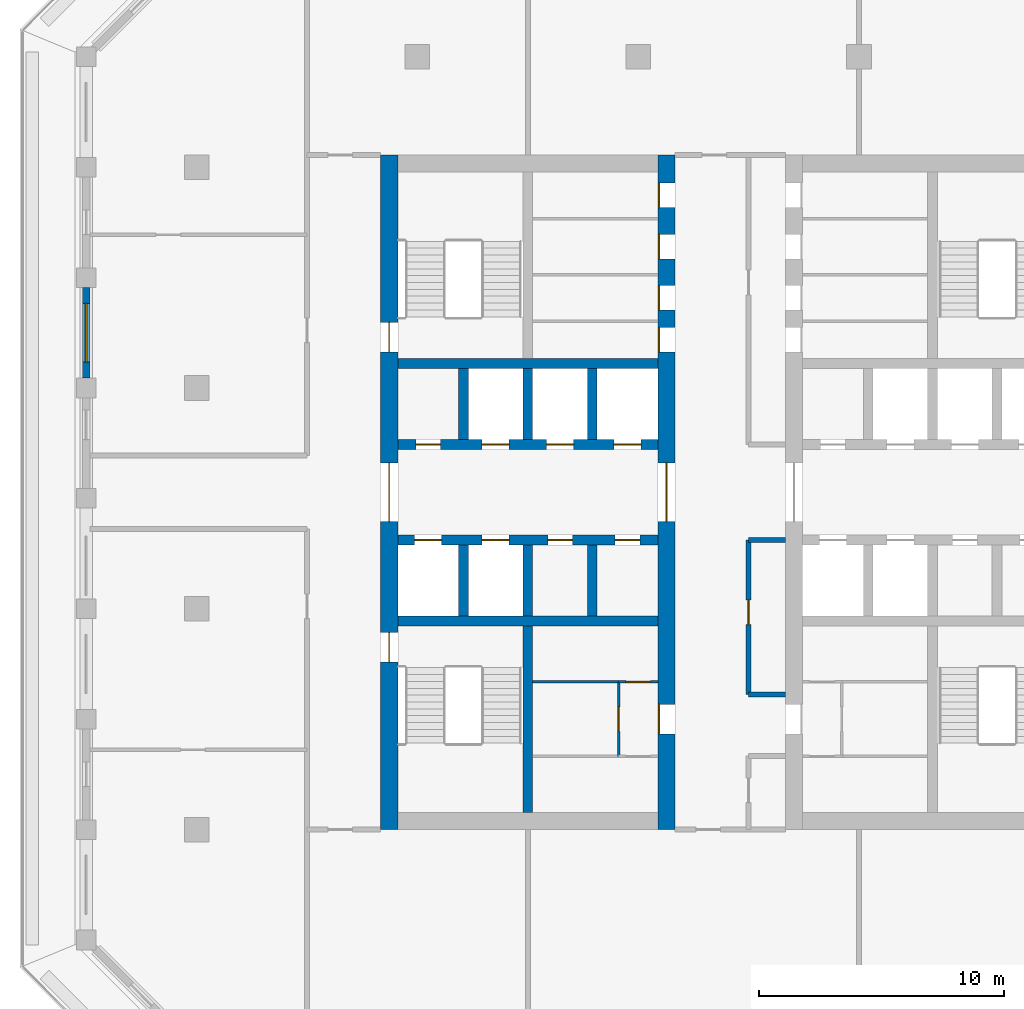
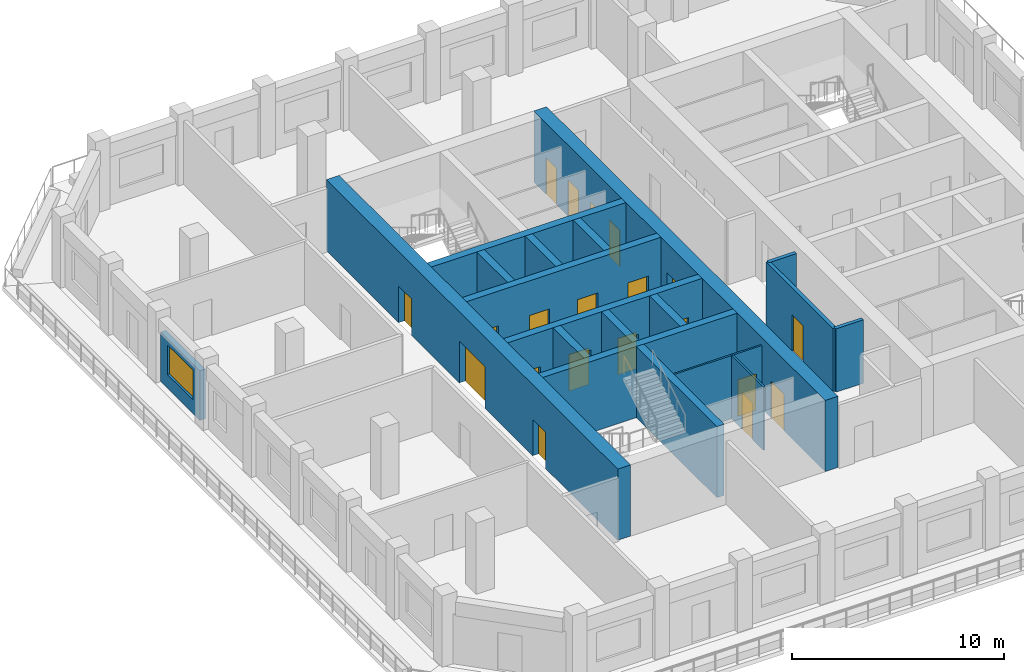
# One storey, part 3 of 14: 20 doors, 20 walls, 1 window, 21 openings.
"""IFC4 building model written with IfcOpenShell, lengths in metres."""

import ifcopenshell
import ifcopenshell.guid

model = None  # the IFC model being written
_history = None  # IfcOwnerHistory: only IFC2X3 demands one
_inside = {}  # id of a spatial element -> (the spatial element, [elements in it])
_under = {}  # id of a project, library or spatial element -> (it, [spatial elements below it])
_declared = {}  # id of a project -> (the project, [libraries it declares])
_typed = {}  # id of a type object -> (the type object, [elements of that type])
_made_of = {}  # id of a material, layer set ... -> (it, [elements and type objects made of it])


def new_model(schema):
    """Start an empty IFC model of exactly this schema.

    Asked for "IFC4X3", IfcOpenShell would pick the latest addendum, in which some entities
    have other attributes; the version numbers below select the first issue.
    IFC2X3 requires an IfcOwnerHistory on every rooted entity: one is made here for all.
    """
    global model, _history
    if schema == "IFC4X3":
        model = ifcopenshell.file(schema_version=(4, 3, 0, 0))
    else:
        model = ifcopenshell.file(schema=schema)
    _inside.clear()
    _under.clear()
    _declared.clear()
    _typed.clear()
    _made_of.clear()
    _history = None
    if model.schema == "IFC2X3":
        org = make("IfcOrganization", Name="unknown")
        user = make(
            "IfcPersonAndOrganization",
            ThePerson=make("IfcPerson", FamilyName="unknown"),
            TheOrganization=org,
        )
        app = make(
            "IfcApplication",
            ApplicationDeveloper=org,
            Version="unknown",
            ApplicationFullName="unknown",
            ApplicationIdentifier="unknown",
        )
        _history = make(
            "IfcOwnerHistory",
            OwningUser=user,
            OwningApplication=app,
            ChangeAction="ADDED",
            CreationDate=0,
        )
    return model


def make(cls, **values):
    """One entity of the class cls with the attributes given. An attribute that is None is left unset."""
    return model.create_entity(
        cls, **{name: value for name, value in values.items() if value is not None}
    )


def rooted(cls, **values):
    """An entity with a GlobalId (a new one), such as an element, a storey or a relation."""
    return make(cls, GlobalId=ifcopenshell.guid.new(), OwnerHistory=_history, **values)


def si_unit(unit_type, name, prefix=None):
    """IfcSIUnit, for example si_unit("LENGTHUNIT", "METRE", prefix="MILLI")."""
    return make("IfcSIUnit", UnitType=unit_type, Prefix=prefix, Name=name)


def assignment(units):
    """IfcUnitAssignment: the units of a project."""
    return None if units is None else make("IfcUnitAssignment", Units=units)


def point(xyz):
    """IfcCartesianPoint."""
    return None if xyz is None else make("IfcCartesianPoint", Coordinates=xyz)


def direction(xyz):
    """IfcDirection."""
    return None if xyz is None else make("IfcDirection", DirectionRatios=xyz)


def frame(location, z_axis=None, x_axis=None):
    """IfcAxis2Placement3D, a coordinate frame: its origin and axes. An axis left out is left unset."""
    return make(
        "IfcAxis2Placement3D",
        Location=point(location),
        Axis=direction(z_axis),
        RefDirection=direction(x_axis),
    )


def frame_2d(location, x_axis=None):
    """IfcAxis2Placement2D, a coordinate frame in the plane: its origin and x axis."""
    return make(
        "IfcAxis2Placement2D", Location=point(location), RefDirection=direction(x_axis)
    )


def origin():
    """The frame at (0, 0, 0) with its axes left unset."""
    return frame((0.0, 0.0, 0.0))


def place(relative_to, where):
    """IfcLocalPlacement: puts the frame where relative to a parent placement (None: the world)."""
    return make(
        "IfcLocalPlacement", PlacementRelTo=relative_to, RelativePlacement=where
    )


def context(
    kind, dimensions, precision=None, world=None, true_north=None, identifier=None
):
    """IfcGeometricRepresentationContext, for example the 3D "Model" context."""
    return make(
        "IfcGeometricRepresentationContext",
        ContextIdentifier=identifier,
        ContextType=kind,
        CoordinateSpaceDimension=dimensions,
        Precision=precision,
        WorldCoordinateSystem=world,
        TrueNorth=true_north,
    )


def subcontext(parent, identifier, kind, view, scale=None):
    """IfcGeometricRepresentationSubContext, for example "Body" below "Model"."""
    return make(
        "IfcGeometricRepresentationSubContext",
        ContextIdentifier=identifier,
        ContextType=kind,
        ParentContext=parent,
        TargetScale=scale,
        TargetView=view,
    )


def project(units=None, contexts=None):
    """IfcProject with its units and contexts."""
    return rooted(
        "IfcProject",
        Name="project",
        RepresentationContexts=contexts,
        UnitsInContext=assignment(units),
    )


def spatial(cls, under=None, at=None, **own):
    """A site, building, storey or space (cls), placed at a placement, below another one or the project."""
    s = rooted(cls, ObjectPlacement=at, **own)
    if under is not None:
        _under.setdefault(under.id(), (under, []))[1].append(s)
    return s


def profile(cls, at=None, kind="AREA", **sizes):
    """A parametric profile (cls). Its sizes go by their IFC names, for example OverallWidth=200.0."""
    return make(cls, ProfileType=kind, Position=at, **sizes)


def rectangle(**sizes):
    """IfcRectangleProfileDef."""
    return profile("IfcRectangleProfileDef", **sizes)


def extrude(swept, where, along, depth):
    """IfcExtrudedAreaSolid: the profile swept, set in the frame where, extruded along a direction by depth."""
    return make(
        "IfcExtrudedAreaSolid",
        SweptArea=swept,
        Position=where,
        ExtrudedDirection=direction(along),
        Depth=depth,
    )


def shape(context_of_items, identifier, shape_type, items):
    """IfcShapeRepresentation: the items that make up one representation, for example the "Body"."""
    return make(
        "IfcShapeRepresentation",
        ContextOfItems=context_of_items,
        RepresentationIdentifier=identifier,
        RepresentationType=shape_type,
        Items=items,
    )


def material(Name=None, Category=None):
    """IfcMaterial."""
    return make("IfcMaterial", Name=Name, Category=Category)


def layer(
    of_material, thickness, ventilated=None, Name=None, Category=None, Priority=None
):
    """IfcMaterialLayer: one layer of a wall or slab, of a material (None: an air gap)."""
    return make(
        "IfcMaterialLayer",
        Material=of_material,
        LayerThickness=thickness,
        IsVentilated=ventilated,
        Name=Name,
        Category=Category,
        Priority=Priority,
    )


def layer_set(layers, Name=None):
    """IfcMaterialLayerSet."""
    return make("IfcMaterialLayerSet", MaterialLayers=layers, LayerSetName=Name)


def made_of(thing, what):
    """Note that an element or type object is made of a material, layer set ...; save() writes the relation."""
    if what is not None:
        _made_of.setdefault(what.id(), (what, []))[1].append(thing)
    return thing


def type_object(cls, material=None, **own):
    """A type object (cls), such as IfcWallType, which elements share."""
    return made_of(rooted(cls, **own), material)


def element(
    cls,
    number,
    at=None,
    inside=None,
    cuts=None,
    type_object=None,
    material=None,
    context=None,
    identifier="Body",
    shape_type=None,
    held_by="IfcProductDefinitionShape",
    body=None,
    shapes=None,
    **own,
):
    """One element of the class cls, such as IfcWall. Its Tag is "e" and its number.

    at: its placement. inside: the storey or other place that contains it. cuts: it is an
    opening in that element (IfcRelVoidsElement). A single representation is given by context,
    identifier, shape_type and body (its items); several are given by shapes. held_by: the class
    of the entity that holds the representations. save() writes the other relations.
    """
    e = rooted(cls, Tag="e%d" % number, ObjectPlacement=at, **own)
    if body is not None:
        shapes = [shape(context, identifier, shape_type, body)]
    if shapes is not None:
        e.Representation = make(held_by, Representations=shapes)
    if inside is not None:
        _inside.setdefault(inside.id(), (inside, []))[1].append(e)
    if cuts is not None:
        rooted(
            "IfcRelVoidsElement", RelatingBuildingElement=cuts, RelatedOpeningElement=e
        )
    if type_object is not None:
        _typed.setdefault(type_object.id(), (type_object, []))[1].append(e)
    return made_of(e, material)


def fill(opening, filler):
    """IfcRelFillsElement: the door or window that sits in an opening."""
    return rooted(
        "IfcRelFillsElement",
        RelatingOpeningElement=opening,
        RelatedBuildingElement=filler,
    )


def aggregate(whole, parts):
    """IfcRelAggregates: a whole, such as a stair, and the parts it consists of."""
    return rooted("IfcRelAggregates", RelatingObject=whole, RelatedObjects=parts)


def save(model, path):
    """Write the relations noted so far, then the file.

    IfcRelAggregates (storeys below a building ...), IfcRelContainedInSpatialStructure (elements
    in a storey), IfcRelDefinesByType, IfcRelAssociatesMaterial and IfcRelDeclares: one each for
    every whole, place, type object, material and project.
    """
    for whole, parts in _under.values():
        aggregate(whole, parts)
    for where, things in _inside.values():
        rooted(
            "IfcRelContainedInSpatialStructure",
            RelatedElements=things,
            RelatingStructure=where,
        )
    for kind, things in _typed.values():
        rooted("IfcRelDefinesByType", RelatedObjects=things, RelatingType=kind)
    for what, things in _made_of.values():
        rooted("IfcRelAssociatesMaterial", RelatedObjects=things, RelatingMaterial=what)
    for by, libraries in _declared.values():
        rooted("IfcRelDeclares", RelatingContext=by, RelatedDefinitions=libraries)
    model.write(path)


model = new_model("IFC4")

# Units and contexts
model_context = context("Model", 3, precision=1e-05, world=origin(), true_north=direction((0.0, 1.0)))
body_context = subcontext(model_context, "Body", "Model", "MODEL_VIEW")
ifc_project = project(units=[si_unit("LENGTHUNIT", "METRE"), si_unit("AREAUNIT", "SQUARE_METRE"), si_unit("VOLUMEUNIT", "CUBIC_METRE"), si_unit("PLANEANGLEUNIT", "RADIAN"), si_unit("MASSUNIT", "GRAM", prefix="KILO")], contexts=[model_context])

# Site, building, storey
site_placement = place(None, origin())
site = spatial("IfcSite", under=ifc_project, at=site_placement, CompositionType="ELEMENT")
building_placement = place(site_placement, origin())
building = spatial("IfcBuilding", under=site, at=building_placement, Name="Corbel Stack Research Tower", CompositionType="ELEMENT")
storey_placement = place(building_placement, frame((0.0, 0.0, 278.60009765625)))
storey = spatial("IfcBuildingStorey", under=building, at=storey_placement, Name="L63", CompositionType="ELEMENT", Elevation=278.60009765625)

# Wall
ifc_material_1 = material(Name="Concrete C60/75", Category="concrete")
ifc_layer_1 = layer(ifc_material_1, 0.39990234375)
ifc_layer_set_1 = layer_set([ifc_layer_1], Name="Concrete C60/75")
wall_type_1 = type_object("IfcWallType", Name="CW-400-60", PredefinedType="SHEAR", material=ifc_layer_set_1)
wall_1_placement = place(storey_placement, frame((-9.800048828125, -0.5, 0.0), z_axis=(0.0, 0.0, 1.0), x_axis=(1.0, 0.0, 0.0)))
element("IfcWall", 1, at=wall_1_placement, inside=storey, type_object=wall_type_1, Name="West core wall, south row back L63", PredefinedType="SHEAR", context=body_context, shape_type="SweptSolid", body=[
    extrude(rectangle(XDim=10.60009765625, YDim=0.39990234375, at=frame_2d((5.300048828125, 0.0))), origin(), (0.0, 0.0, 1.0), 4.099853515625),
])

# Wall, openings, doors
wall_2_placement = place(storey_placement, frame((-9.800048828125, 2.800048828125, 0.0), z_axis=(0.0, 0.0, 1.0), x_axis=(1.0, 0.0, 0.0)))
wall_2 = element("IfcWall", 2, at=wall_2_placement, inside=storey, type_object=wall_type_1, Name="West core wall, lobby south L63", PredefinedType="SHEAR", context=body_context, shape_type="SweptSolid", body=[
    extrude(rectangle(XDim=10.60009765625, YDim=0.39990234375, at=frame_2d((5.300048828125, 0.0))), origin(), (0.0, 0.0, 1.0), 4.099853515625),
])
opening_1_placement = place(wall_2_placement, frame((0.6875, 0.0, 0.0)))
opening_1 = element("IfcOpeningElement", 3, at=opening_1_placement, cuts=wall_2, Name="Opening LD-FS1", PredefinedType="OPENING", context=body_context, shape_type="SweptSolid", body=[
    extrude(rectangle(XDim=1.10009765625, YDim=2.10009765625, at=frame_2d((0.550048828125, 1.050048828125))), frame((0.0, 0.2099609375, 0.0), z_axis=(0.0, -1.0, 0.0), x_axis=(1.0, 0.0, 0.0)), (0.0, 0.0, 1.0), 0.419921875),
])
opening_2_placement = place(wall_2_placement, frame((3.4375, 0.0, 0.0)))
opening_2 = element("IfcOpeningElement", 4, at=opening_2_placement, cuts=wall_2, Name="Opening LD-GL1", PredefinedType="OPENING", context=body_context, shape_type="SweptSolid", body=[
    extrude(rectangle(XDim=1.10009765625, YDim=2.10009765625, at=frame_2d((0.550048828125, 1.050048828125))), frame((0.0, 0.2099609375, 0.0), z_axis=(0.0, -1.0, 0.0), x_axis=(1.0, 0.0, 0.0)), (0.0, 0.0, 1.0), 0.419921875),
])
opening_3_placement = place(wall_2_placement, frame((6.112548828125, 0.0, 0.0)))
opening_3 = element("IfcOpeningElement", 5, at=opening_3_placement, cuts=wall_2, Name="Opening CR-W36-S3", PredefinedType="OPENING", context=body_context, shape_type="SweptSolid", body=[
    extrude(rectangle(XDim=1.0, YDim=2.10009765625, at=frame_2d((0.5, 1.050048828125))), frame((0.0, 0.2099609375, 0.0), z_axis=(0.0, -1.0, 0.0), x_axis=(1.0, 0.0, 0.0)), (0.0, 0.0, 1.0), 0.419921875),
])
opening_4_placement = place(wall_2_placement, frame((8.862548828125, 0.0, 0.0)))
opening_4 = element("IfcOpeningElement", 6, at=opening_4_placement, cuts=wall_2, Name="Opening CR-W36-S4", PredefinedType="OPENING", context=body_context, shape_type="SweptSolid", body=[
    extrude(rectangle(XDim=1.0, YDim=2.10009765625, at=frame_2d((0.5, 1.050048828125))), frame((0.0, 0.2099609375, 0.0), z_axis=(0.0, -1.0, 0.0), x_axis=(1.0, 0.0, 0.0)), (0.0, 0.0, 1.0), 0.419921875),
])
ifc_material_2 = material(Name="Stainless steel landing door", Category="steel")
door_type_1 = type_object("IfcDoorType", Name="Lift landing door 1100 x 2100", OperationType="DOUBLE_DOOR_SLIDING", PredefinedType="DOOR", material=ifc_material_2)
door_1_placement = place(opening_1_placement, origin())
door_1 = element("IfcDoor", 7, at=door_1_placement, inside=storey, type_object=door_type_1, Name="Landing door FS1", OperationType="DOUBLE_DOOR_SLIDING", OverallHeight=2.10009765625, OverallWidth=1.10009765625, PredefinedType="DOOR", context=body_context, shape_type="SweptSolid", body=[
    extrude(rectangle(XDim=1.10009765625, YDim=2.10009765625, at=frame_2d((0.550048828125, 1.050048828125))), frame((0.0, 0.02490234375, 0.0), z_axis=(0.0, -1.0, 0.0), x_axis=(1.0, 0.0, 0.0)), (0.0, 0.0, 1.0), 0.050048828125),
])
fill(opening_1, door_1)
door_2_placement = place(opening_2_placement, origin())
door_2 = element("IfcDoor", 8, at=door_2_placement, inside=storey, type_object=door_type_1, Name="Landing door GL1", OperationType="DOUBLE_DOOR_SLIDING", OverallHeight=2.10009765625, OverallWidth=1.10009765625, PredefinedType="DOOR", context=body_context, shape_type="SweptSolid", body=[
    extrude(rectangle(XDim=1.10009765625, YDim=2.10009765625, at=frame_2d((0.550048828125, 1.050048828125))), frame((0.0, 0.02490234375, 0.0), z_axis=(0.0, -1.0, 0.0), x_axis=(1.0, 0.0, 0.0)), (0.0, 0.0, 1.0), 0.050048828125),
])
fill(opening_2, door_2)
ifc_material_3 = material(Name="Painted steel door", Category="steel")
door_type_2 = type_object("IfcDoorType", Name="Service door 1000 x 2100 FD60 left hand", OperationType="SINGLE_SWING_LEFT", PredefinedType="DOOR", material=ifc_material_3)
door_3_placement = place(opening_3_placement, origin())
door_3 = element("IfcDoor", 9, at=door_3_placement, inside=storey, type_object=door_type_2, Name="Records store door W core", OperationType="SINGLE_SWING_LEFT", OverallHeight=2.10009765625, OverallWidth=1.0, PredefinedType="DOOR", context=body_context, shape_type="SweptSolid", body=[
    extrude(rectangle(XDim=1.0, YDim=2.10009765625, at=frame_2d((0.5, 1.050048828125))), frame((0.0, 0.02490234375, 0.0), z_axis=(0.0, -1.0, 0.0), x_axis=(1.0, 0.0, 0.0)), (0.0, 0.0, 1.0), 0.050048828125),
])
fill(opening_3, door_3)
ifc_material_4 = material(Name="Painted steel door", Category="steel")
door_type_3 = type_object("IfcDoorType", Name="Service door 1000 x 2100 FD60 right hand", OperationType="SINGLE_SWING_RIGHT", PredefinedType="DOOR", material=ifc_material_4)
door_4_placement = place(opening_4_placement, origin())
door_4 = element("IfcDoor", 10, at=door_4_placement, inside=storey, type_object=door_type_3, Name="Electrical room door W core", OperationType="SINGLE_SWING_RIGHT", OverallHeight=2.10009765625, OverallWidth=1.0, PredefinedType="DOOR", context=body_context, shape_type="SweptSolid", body=[
    extrude(rectangle(XDim=1.0, YDim=2.10009765625, at=frame_2d((0.5, 1.050048828125))), frame((0.0, 0.02490234375, 0.0), z_axis=(0.0, -1.0, 0.0), x_axis=(1.0, 0.0, 0.0)), (0.0, 0.0, 1.0), 0.050048828125),
])
fill(opening_4, door_4)

wall_3_placement = place(storey_placement, frame((-9.800048828125, 6.699951171875, 0.0), z_axis=(0.0, 0.0, 1.0), x_axis=(1.0, 0.0, 0.0)))
wall_3 = element("IfcWall", 11, at=wall_3_placement, inside=storey, type_object=wall_type_1, Name="West core wall, lobby north L63", PredefinedType="SHEAR", context=body_context, shape_type="SweptSolid", body=[
    extrude(rectangle(XDim=10.60009765625, YDim=0.39990234375, at=frame_2d((5.300048828125, 0.0))), origin(), (0.0, 0.0, 1.0), 4.099853515625),
])
opening_5_placement = place(wall_3_placement, frame((3.4375, 0.0, 0.0)))
opening_5 = element("IfcOpeningElement", 12, at=opening_5_placement, cuts=wall_3, Name="Opening LD-HR1", PredefinedType="OPENING", context=body_context, shape_type="SweptSolid", body=[
    extrude(rectangle(XDim=1.10009765625, YDim=2.10009765625, at=frame_2d((0.550048828125, 1.050048828125))), frame((0.0, 0.2099609375, 0.0), z_axis=(0.0, -1.0, 0.0), x_axis=(1.0, 0.0, 0.0)), (0.0, 0.0, 1.0), 0.419921875),
])
opening_6_placement = place(wall_3_placement, frame((6.0625, 0.0, 0.0)))
opening_6 = element("IfcOpeningElement", 13, at=opening_6_placement, cuts=wall_3, Name="Opening LD-HR2", PredefinedType="OPENING", context=body_context, shape_type="SweptSolid", body=[
    extrude(rectangle(XDim=1.10009765625, YDim=2.10009765625, at=frame_2d((0.550048828125, 1.050048828125))), frame((0.0, 0.2099609375, 0.0), z_axis=(0.0, -1.0, 0.0), x_axis=(1.0, 0.0, 0.0)), (0.0, 0.0, 1.0), 0.419921875),
])
opening_7_placement = place(wall_3_placement, frame((8.8125, 0.0, 0.0)))
opening_7 = element("IfcOpeningElement", 14, at=opening_7_placement, cuts=wall_3, Name="Opening LD-HR3", PredefinedType="OPENING", context=body_context, shape_type="SweptSolid", body=[
    extrude(rectangle(XDim=1.10009765625, YDim=2.10009765625, at=frame_2d((0.550048828125, 1.050048828125))), frame((0.0, 0.2099609375, 0.0), z_axis=(0.0, -1.0, 0.0), x_axis=(1.0, 0.0, 0.0)), (0.0, 0.0, 1.0), 0.419921875),
])
opening_8_placement = place(wall_3_placement, frame((0.737548828125, 0.0, 0.0)))
opening_8 = element("IfcOpeningElement", 15, at=opening_8_placement, cuts=wall_3, Name="Opening CR-W36-N1", PredefinedType="OPENING", context=body_context, shape_type="SweptSolid", body=[
    extrude(rectangle(XDim=1.0, YDim=2.10009765625, at=frame_2d((0.5, 1.050048828125))), frame((0.0, 0.2099609375, 0.0), z_axis=(0.0, -1.0, 0.0), x_axis=(1.0, 0.0, 0.0)), (0.0, 0.0, 1.0), 0.419921875),
])
door_5_placement = place(opening_5_placement, origin())
door_5 = element("IfcDoor", 16, at=door_5_placement, inside=storey, type_object=door_type_1, Name="Landing door HR1", OperationType="DOUBLE_DOOR_SLIDING", OverallHeight=2.10009765625, OverallWidth=1.10009765625, PredefinedType="DOOR", context=body_context, shape_type="SweptSolid", body=[
    extrude(rectangle(XDim=1.10009765625, YDim=2.10009765625, at=frame_2d((0.550048828125, 1.050048828125))), frame((0.0, 0.02490234375, 0.0), z_axis=(0.0, -1.0, 0.0), x_axis=(1.0, 0.0, 0.0)), (0.0, 0.0, 1.0), 0.050048828125),
])
fill(opening_5, door_5)
door_6_placement = place(opening_6_placement, origin())
door_6 = element("IfcDoor", 17, at=door_6_placement, inside=storey, type_object=door_type_1, Name="Landing door HR2", OperationType="DOUBLE_DOOR_SLIDING", OverallHeight=2.10009765625, OverallWidth=1.10009765625, PredefinedType="DOOR", context=body_context, shape_type="SweptSolid", body=[
    extrude(rectangle(XDim=1.10009765625, YDim=2.10009765625, at=frame_2d((0.550048828125, 1.050048828125))), frame((0.0, 0.02490234375, 0.0), z_axis=(0.0, -1.0, 0.0), x_axis=(1.0, 0.0, 0.0)), (0.0, 0.0, 1.0), 0.050048828125),
])
fill(opening_6, door_6)
door_7_placement = place(opening_7_placement, origin())
door_7 = element("IfcDoor", 18, at=door_7_placement, inside=storey, type_object=door_type_1, Name="Landing door HR3", OperationType="DOUBLE_DOOR_SLIDING", OverallHeight=2.10009765625, OverallWidth=1.10009765625, PredefinedType="DOOR", context=body_context, shape_type="SweptSolid", body=[
    extrude(rectangle(XDim=1.10009765625, YDim=2.10009765625, at=frame_2d((0.550048828125, 1.050048828125))), frame((0.0, 0.02490234375, 0.0), z_axis=(0.0, -1.0, 0.0), x_axis=(1.0, 0.0, 0.0)), (0.0, 0.0, 1.0), 0.050048828125),
])
fill(opening_7, door_7)
door_8_placement = place(opening_8_placement, origin())
door_8 = element("IfcDoor", 19, at=door_8_placement, inside=storey, type_object=door_type_2, Name="Pantry door W core", OperationType="SINGLE_SWING_LEFT", OverallHeight=2.10009765625, OverallWidth=1.0, PredefinedType="DOOR", context=body_context, shape_type="SweptSolid", body=[
    extrude(rectangle(XDim=1.0, YDim=2.10009765625, at=frame_2d((0.5, 1.050048828125))), frame((0.0, 0.02490234375, 0.0), z_axis=(0.0, -1.0, 0.0), x_axis=(1.0, 0.0, 0.0)), (0.0, 0.0, 1.0), 0.050048828125),
])
fill(opening_8, door_8)

# Walls
wall_4_placement = place(storey_placement, frame((-9.800048828125, 10.0, 0.0), z_axis=(0.0, 0.0, 1.0), x_axis=(1.0, 0.0, 0.0)))
element("IfcWall", 20, at=wall_4_placement, inside=storey, type_object=wall_type_1, Name="West core wall, north row back L63", PredefinedType="SHEAR", context=body_context, shape_type="SweptSolid", body=[
    extrude(rectangle(XDim=10.60009765625, YDim=0.39990234375, at=frame_2d((5.300048828125, 0.0))), origin(), (0.0, 0.0, 1.0), 4.099853515625),
])
for number, where, z_axis, x_axis, name in (
    (21, (-7.125, -0.300048828125, 0.0), (0.0, 0.0, 1.0), (0.0, 1.0, 0.0), "West core wall, south shaft 1 L63"),
    (22, (-7.125, 6.89990234375, 0.0), (0.0, 0.0, 1.0), (0.0, 1.0, 0.0), "West core wall, north shaft 1 L63"),
    (23, (-4.5, -0.300048828125, 0.0), (0.0, 0.0, 1.0), (0.0, 1.0, 0.0), "West core wall, south shaft 2 L63"),
    (24, (-4.5, 6.89990234375, 0.0), (0.0, 0.0, 1.0), (0.0, 1.0, 0.0), "West core wall, north shaft 2 L63"),
    (25, (-1.875, -0.300048828125, 0.0), (0.0, 0.0, 1.0), (0.0, 1.0, 0.0), "West core wall, south shaft 3 L63"),
    (26, (-1.875, 6.89990234375, 0.0), (0.0, 0.0, 1.0), (0.0, 1.0, 0.0), "West core wall, north shaft 3 L63"),
):
    element("IfcWall", number, at=place(storey_placement, frame(where, z_axis=z_axis, x_axis=x_axis)), inside=storey, type_object=wall_type_1, Name=name, PredefinedType="SHEAR", context=body_context, shape_type="SweptSolid", body=[
        extrude(rectangle(XDim=2.900146484375, YDim=0.39990234375, at=frame_2d((1.4501953125, 0.0))), origin(), (0.0, 0.0, 1.0), 4.099853515625),
    ])
wall_5_placement = place(storey_placement, frame((-4.5, -8.300048828125, 0.0), z_axis=(0.0, 0.0, 1.0), x_axis=(0.0, 1.0, 0.0)))
element("IfcWall", 27, at=wall_5_placement, inside=storey, type_object=wall_type_1, Name="West core wall, south stair and WC L63", PredefinedType="SHEAR", context=body_context, shape_type="SweptSolid", body=[
    extrude(rectangle(XDim=7.60009765625, YDim=0.39990234375, at=frame_2d((3.800048828125, 0.0))), origin(), (0.0, 0.0, 1.0), 4.099853515625),
])

# Wall, openings, doors
ifc_material_5 = material(Name="Concrete C60/75", Category="concrete")
ifc_layer_2 = layer(ifc_material_5, 0.699951171875)
ifc_layer_set_2 = layer_set([ifc_layer_2], Name="Concrete C60/75")
wall_type_2 = type_object("IfcWallType", Name="CW-700-60", PredefinedType="SHEAR", material=ifc_layer_set_2)
wall_6_placement = place(storey_placement, frame((-10.14990234375, -9.0, 0.0), z_axis=(0.0, 0.0, 1.0), x_axis=(0.0, 1.0, 0.0)))
wall_6 = element("IfcWall", 28, at=wall_6_placement, inside=storey, type_object=wall_type_2, Name="West core wall, west face L63", PredefinedType="SHEAR", context=body_context, shape_type="SweptSolid", body=[
    extrude(rectangle(XDim=27.5, YDim=0.699951171875, at=frame_2d((13.75, 0.0))), origin(), (0.0, 0.0, 1.0), 4.099853515625),
])
opening_9_placement = place(wall_6_placement, frame((12.550048828125, 0.0, 0.0)))
opening_9 = element("IfcOpeningElement", 29, at=opening_9_placement, cuts=wall_6, Name="Opening CD-W-W", PredefinedType="OPENING", context=body_context, shape_type="SweptSolid", body=[
    extrude(rectangle(XDim=2.39990234375, YDim=2.39990234375, at=frame_2d((1.199951171875, 1.199951171875))), frame((0.0, 0.35986328125, 0.0), z_axis=(0.0, -1.0, 0.0), x_axis=(1.0, 0.0, 0.0)), (0.0, 0.0, 1.0), 0.719970703125),
])
opening_10_placement = place(wall_6_placement, frame((6.824951171875, 0.0, 0.0)))
opening_10 = element("IfcOpeningElement", 30, at=opening_10_placement, cuts=wall_6, Name="Opening SD-ST-W1", PredefinedType="OPENING", context=body_context, shape_type="SweptSolid", body=[
    extrude(rectangle(XDim=1.199951171875, YDim=2.10009765625, at=frame_2d((0.60009765625, 1.050048828125))), frame((0.0, 0.35986328125, 0.0), z_axis=(0.0, -1.0, 0.0), x_axis=(1.0, 0.0, 0.0)), (0.0, 0.0, 1.0), 0.719970703125),
])
opening_11_placement = place(wall_6_placement, frame((19.47509765625, 0.0, 0.0)))
opening_11 = element("IfcOpeningElement", 31, at=opening_11_placement, cuts=wall_6, Name="Opening SD-ST-W2", PredefinedType="OPENING", context=body_context, shape_type="SweptSolid", body=[
    extrude(rectangle(XDim=1.199951171875, YDim=2.10009765625, at=frame_2d((0.60009765625, 1.050048828125))), frame((0.0, 0.35986328125, 0.0), z_axis=(0.0, -1.0, 0.0), x_axis=(1.0, 0.0, 0.0)), (0.0, 0.0, 1.0), 0.719970703125),
])
ifc_material_6 = material(Name="Painted steel fire door", Category="steel")
door_type_4 = type_object("IfcDoorType", Name="Lobby door pair 2400 x 2400 FD30S", OperationType="DOUBLE_DOOR_DOUBLE_SWING", PredefinedType="DOOR", material=ifc_material_6)
door_9_placement = place(opening_9_placement, origin())
door_9 = element("IfcDoor", 32, at=door_9_placement, inside=storey, type_object=door_type_4, Name="Lift lobby door W core W", OperationType="DOUBLE_DOOR_DOUBLE_SWING", OverallHeight=2.39990234375, OverallWidth=2.39990234375, PredefinedType="DOOR", context=body_context, shape_type="SweptSolid", body=[
    extrude(rectangle(XDim=2.39990234375, YDim=2.39990234375, at=frame_2d((1.199951171875, 1.199951171875))), frame((0.0, 0.02490234375, 0.0), z_axis=(0.0, -1.0, 0.0), x_axis=(1.0, 0.0, 0.0)), (0.0, 0.0, 1.0), 0.050048828125),
])
fill(opening_9, door_9)
ifc_material_7 = material(Name="Painted steel fire door", Category="steel")
door_type_5 = type_object("IfcDoorType", Name="Stair door 1200 x 2100 FD90 left hand", OperationType="SINGLE_SWING_LEFT", PredefinedType="DOOR", material=ifc_material_7)
door_10_placement = place(opening_10_placement, origin())
door_10 = element("IfcDoor", 33, at=door_10_placement, inside=storey, type_object=door_type_5, Name="Stair door ST-W1", OperationType="SINGLE_SWING_LEFT", OverallHeight=2.10009765625, OverallWidth=1.199951171875, PredefinedType="DOOR", context=body_context, shape_type="SweptSolid", body=[
    extrude(rectangle(XDim=1.199951171875, YDim=2.10009765625, at=frame_2d((0.60009765625, 1.050048828125))), frame((0.0, 0.02490234375, 0.0), z_axis=(0.0, -1.0, 0.0), x_axis=(1.0, 0.0, 0.0)), (0.0, 0.0, 1.0), 0.050048828125),
])
fill(opening_10, door_10)
door_11_placement = place(opening_11_placement, origin())
door_11 = element("IfcDoor", 34, at=door_11_placement, inside=storey, type_object=door_type_5, Name="Stair door ST-W2", OperationType="SINGLE_SWING_LEFT", OverallHeight=2.10009765625, OverallWidth=1.199951171875, PredefinedType="DOOR", context=body_context, shape_type="SweptSolid", body=[
    extrude(rectangle(XDim=1.199951171875, YDim=2.10009765625, at=frame_2d((0.60009765625, 1.050048828125))), frame((0.0, 0.02490234375, 0.0), z_axis=(0.0, -1.0, 0.0), x_axis=(1.0, 0.0, 0.0)), (0.0, 0.0, 1.0), 0.050048828125),
])
fill(opening_11, door_11)

wall_7_placement = place(storey_placement, frame((1.14990234375, -9.0, 0.0), z_axis=(0.0, 0.0, 1.0), x_axis=(0.0, 1.0, 0.0)))
wall_7 = element("IfcWall", 35, at=wall_7_placement, inside=storey, type_object=wall_type_2, Name="West core wall, east face L63", PredefinedType="SHEAR", context=body_context, shape_type="SweptSolid", body=[
    extrude(rectangle(XDim=27.5, YDim=0.699951171875, at=frame_2d((13.75, 0.0))), origin(), (0.0, 0.0, 1.0), 4.099853515625),
])
opening_12_placement = place(wall_7_placement, frame((12.550048828125, 0.0, 0.0)))
opening_12 = element("IfcOpeningElement", 36, at=opening_12_placement, cuts=wall_7, Name="Opening CD-W-E", PredefinedType="OPENING", context=body_context, shape_type="SweptSolid", body=[
    extrude(rectangle(XDim=2.39990234375, YDim=2.39990234375, at=frame_2d((1.199951171875, 1.199951171875))), frame((0.0, 0.35986328125, 0.0), z_axis=(0.0, -1.0, 0.0), x_axis=(1.0, 0.0, 0.0)), (0.0, 0.0, 1.0), 0.719970703125),
])
opening_13_placement = place(wall_7_placement, frame((3.89990234375, 0.0, 0.0)))
opening_13 = element("IfcOpeningElement", 37, at=opening_13_placement, cuts=wall_7, Name="Opening CR-W36-W1-1200", PredefinedType="OPENING", context=body_context, shape_type="SweptSolid", body=[
    extrude(rectangle(XDim=1.199951171875, YDim=2.10009765625, at=frame_2d((0.60009765625, 1.050048828125))), frame((0.0, 0.35986328125, 0.0), z_axis=(0.0, -1.0, 0.0), x_axis=(1.0, 0.0, 0.0)), (0.0, 0.0, 1.0), 0.719970703125),
])
opening_14_placement = place(wall_7_placement, frame((19.4599609375, 0.0, 0.0)))
opening_14 = element("IfcOpeningElement", 38, at=opening_14_placement, cuts=wall_7, Name="Opening CR-W36-R1-1000", PredefinedType="OPENING", context=body_context, shape_type="SweptSolid", body=[
    extrude(rectangle(XDim=1.0, YDim=2.10009765625, at=frame_2d((0.5, 1.050048828125))), frame((0.0, 0.35986328125, 0.0), z_axis=(0.0, -1.0, 0.0), x_axis=(1.0, 0.0, 0.0)), (0.0, 0.0, 1.0), 0.719970703125),
])
opening_15_placement = place(wall_7_placement, frame((21.169921875, 0.0, 0.0)))
opening_15 = element("IfcOpeningElement", 39, at=opening_15_placement, cuts=wall_7, Name="Opening CR-W36-R2-1000", PredefinedType="OPENING", context=body_context, shape_type="SweptSolid", body=[
    extrude(rectangle(XDim=1.0, YDim=2.10009765625, at=frame_2d((0.5, 1.050048828125))), frame((0.0, 0.35986328125, 0.0), z_axis=(0.0, -1.0, 0.0), x_axis=(1.0, 0.0, 0.0)), (0.0, 0.0, 1.0), 0.719970703125),
])
opening_16_placement = place(wall_7_placement, frame((23.260009765625, 0.0, 0.0)))
opening_16 = element("IfcOpeningElement", 40, at=opening_16_placement, cuts=wall_7, Name="Opening CR-W36-R3-1000", PredefinedType="OPENING", context=body_context, shape_type="SweptSolid", body=[
    extrude(rectangle(XDim=1.0, YDim=2.10009765625, at=frame_2d((0.5, 1.050048828125))), frame((0.0, 0.35986328125, 0.0), z_axis=(0.0, -1.0, 0.0), x_axis=(1.0, 0.0, 0.0)), (0.0, 0.0, 1.0), 0.719970703125),
])
opening_17_placement = place(wall_7_placement, frame((25.35009765625, 0.0, 0.0)))
opening_17 = element("IfcOpeningElement", 41, at=opening_17_placement, cuts=wall_7, Name="Opening CR-W36-R4-1000", PredefinedType="OPENING", context=body_context, shape_type="SweptSolid", body=[
    extrude(rectangle(XDim=1.0, YDim=2.10009765625, at=frame_2d((0.5, 1.050048828125))), frame((0.0, 0.35986328125, 0.0), z_axis=(0.0, -1.0, 0.0), x_axis=(1.0, 0.0, 0.0)), (0.0, 0.0, 1.0), 0.719970703125),
])
door_12_placement = place(opening_12_placement, origin())
door_12 = element("IfcDoor", 42, at=door_12_placement, inside=storey, type_object=door_type_4, Name="Lift lobby door W core E", OperationType="DOUBLE_DOOR_DOUBLE_SWING", OverallHeight=2.39990234375, OverallWidth=2.39990234375, PredefinedType="DOOR", context=body_context, shape_type="SweptSolid", body=[
    extrude(rectangle(XDim=2.39990234375, YDim=2.39990234375, at=frame_2d((1.199951171875, 1.199951171875))), frame((0.0, 0.02490234375, 0.0), z_axis=(0.0, -1.0, 0.0), x_axis=(1.0, 0.0, 0.0)), (0.0, 0.0, 1.0), 0.050048828125),
])
fill(opening_12, door_12)
ifc_material_8 = material(Name="Painted steel door", Category="steel")
door_type_6 = type_object("IfcDoorType", Name="Riser door 1000 x 2100 FD60 left hand", OperationType="SINGLE_SWING_LEFT", PredefinedType="DOOR", material=ifc_material_8)
door_13_placement = place(opening_14_placement, origin())
door_13 = element("IfcDoor", 43, at=door_13_placement, inside=storey, type_object=door_type_6, Name="Electrical riser door W core", OperationType="SINGLE_SWING_LEFT", OverallHeight=2.10009765625, OverallWidth=1.0, PredefinedType="DOOR", context=body_context, shape_type="SweptSolid", body=[
    extrude(rectangle(XDim=1.0, YDim=2.10009765625, at=frame_2d((0.5, 1.050048828125))), frame((0.0, 0.3251953125, 0.0), z_axis=(0.0, -1.0, 0.0), x_axis=(1.0, 0.0, 0.0)), (0.0, 0.0, 1.0), 0.050048828125),
])
fill(opening_14, door_13)
ifc_material_9 = material(Name="Painted steel door", Category="steel")
door_type_7 = type_object("IfcDoorType", Name="Riser door 1000 x 2100 FD60 right hand", OperationType="SINGLE_SWING_RIGHT", PredefinedType="DOOR", material=ifc_material_9)
door_14_placement = place(opening_15_placement, origin())
door_14 = element("IfcDoor", 44, at=door_14_placement, inside=storey, type_object=door_type_7, Name="Telecom room door W core", OperationType="SINGLE_SWING_RIGHT", OverallHeight=2.10009765625, OverallWidth=1.0, PredefinedType="DOOR", context=body_context, shape_type="SweptSolid", body=[
    extrude(rectangle(XDim=1.0, YDim=2.10009765625, at=frame_2d((0.5, 1.050048828125))), frame((0.0, 0.3251953125, 0.0), z_axis=(0.0, -1.0, 0.0), x_axis=(1.0, 0.0, 0.0)), (0.0, 0.0, 1.0), 0.050048828125),
])
fill(opening_15, door_14)
ifc_material_10 = material(Name="Painted steel door", Category="steel")
door_type_8 = type_object("IfcDoorType", Name="Service door 1000 x 2100 FD30 left hand", OperationType="SINGLE_SWING_LEFT", PredefinedType="DOOR", material=ifc_material_10)
door_15_placement = place(opening_16_placement, origin())
door_15 = element("IfcDoor", 45, at=door_15_placement, inside=storey, type_object=door_type_8, Name="Pantry door W core", OperationType="SINGLE_SWING_LEFT", OverallHeight=2.10009765625, OverallWidth=1.0, PredefinedType="DOOR", context=body_context, shape_type="SweptSolid", body=[
    extrude(rectangle(XDim=1.0, YDim=2.10009765625, at=frame_2d((0.5, 1.050048828125))), frame((0.0, 0.3251953125, 0.0), z_axis=(0.0, -1.0, 0.0), x_axis=(1.0, 0.0, 0.0)), (0.0, 0.0, 1.0), 0.050048828125),
])
fill(opening_16, door_15)
ifc_material_11 = material(Name="Painted steel door", Category="steel")
door_type_9 = type_object("IfcDoorType", Name="Service door 1000 x 2100 FD30 right hand", OperationType="SINGLE_SWING_RIGHT", PredefinedType="DOOR", material=ifc_material_11)
door_16_placement = place(opening_17_placement, origin())
door_16 = element("IfcDoor", 46, at=door_16_placement, inside=storey, type_object=door_type_9, Name="Cleaner's store door W core", OperationType="SINGLE_SWING_RIGHT", OverallHeight=2.10009765625, OverallWidth=1.0, PredefinedType="DOOR", context=body_context, shape_type="SweptSolid", body=[
    extrude(rectangle(XDim=1.0, YDim=2.10009765625, at=frame_2d((0.5, 1.050048828125))), frame((0.0, 0.3251953125, 0.0), z_axis=(0.0, -1.0, 0.0), x_axis=(1.0, 0.0, 0.0)), (0.0, 0.0, 1.0), 0.050048828125),
])
fill(opening_17, door_16)
ifc_material_12 = material(Name="Painted timber door", Category="wood")
door_type_10 = type_object("IfcDoorType", Name="WC door 1200 x 2100 left hand", OperationType="SINGLE_SWING_LEFT", PredefinedType="DOOR", material=ifc_material_12)
door_17_placement = place(opening_13_placement, origin())
door_17 = element("IfcDoor", 47, at=door_17_placement, inside=storey, type_object=door_type_10, Name="WC lobby door W core", OperationType="SINGLE_SWING_LEFT", OverallHeight=2.10009765625, OverallWidth=1.199951171875, PredefinedType="DOOR", context=body_context, shape_type="SweptSolid", body=[
    extrude(rectangle(XDim=1.199951171875, YDim=2.10009765625, at=frame_2d((0.60009765625, 1.050048828125))), frame((0.0, 0.3251953125, 0.0), z_axis=(0.0, -1.0, 0.0), x_axis=(1.0, 0.0, 0.0)), (0.0, 0.0, 1.0), 0.050048828125),
])
fill(opening_13, door_17)

# Wall, opening, door
ifc_material_13 = material(Name="Gypsum board")
ifc_layer_3 = layer(ifc_material_13, 0.10009765625)
ifc_layer_set_3 = layer_set([ifc_layer_3], Name="Gypsum board")
wall_type_3 = type_object("IfcWallType", Name="Core partition 100", PredefinedType="PARTITIONING", material=ifc_layer_set_3)
wall_8_placement = place(storey_placement, frame((-0.800048828125, -2.97998046875, 0.0), z_axis=(0.0, 0.0, 1.0), x_axis=(1.0, 0.0, 0.0)))
wall_8 = element("IfcWall", 48, at=wall_8_placement, inside=storey, type_object=wall_type_3, Name="Core partition W", PredefinedType="PARTITIONING", context=body_context, shape_type="SweptSolid", body=[
    extrude(rectangle(XDim=1.60009765625, YDim=0.10009765625, at=frame_2d((0.800048828125, 0.0))), origin(), (0.0, 0.0, 1.0), 3.64990234375),
])
opening_18_placement = place(wall_8_placement, frame((0.300048828125, 0.0, 0.0)))
opening_18 = element("IfcOpeningElement", 49, at=opening_18_placement, cuts=wall_8, Name="Opening CR-W36-W3-1000", PredefinedType="OPENING", context=body_context, shape_type="SweptSolid", body=[
    extrude(rectangle(XDim=1.0, YDim=2.10009765625, at=frame_2d((0.5, 1.050048828125))), frame((0.0, 0.06005859375, 0.0), z_axis=(0.0, -1.0, 0.0), x_axis=(1.0, 0.0, 0.0)), (0.0, 0.0, 1.0), 0.1201171875),
])
ifc_material_14 = material(Name="Painted timber door", Category="wood")
door_type_11 = type_object("IfcDoorType", Name="WC door 1000 x 2100 left hand", OperationType="SINGLE_SWING_LEFT", PredefinedType="DOOR", material=ifc_material_14)
door_18_placement = place(opening_18_placement, origin())
door_18 = element("IfcDoor", 50, at=door_18_placement, inside=storey, type_object=door_type_11, Name="Women's WC door W core", OperationType="SINGLE_SWING_LEFT", OverallHeight=2.10009765625, OverallWidth=1.0, PredefinedType="DOOR", context=body_context, shape_type="SweptSolid", body=[
    extrude(rectangle(XDim=1.0, YDim=2.10009765625, at=frame_2d((0.5, 1.050048828125))), frame((0.0, 0.02490234375, 0.0), z_axis=(0.0, -1.0, 0.0), x_axis=(1.0, 0.0, 0.0)), (0.0, 0.0, 1.0), 0.050048828125),
])
fill(opening_18, door_18)

wall_9_placement = place(storey_placement, frame((-0.800048828125, -6.02001953125, 0.0), z_axis=(0.0, 0.0, 1.0), x_axis=(0.0, 1.0, 0.0)))
wall_9 = element("IfcWall", 51, at=wall_9_placement, inside=storey, type_object=wall_type_3, Name="Core partition W", PredefinedType="PARTITIONING", context=body_context, shape_type="SweptSolid", body=[
    extrude(rectangle(XDim=3.0400390625, YDim=0.10009765625, at=frame_2d((1.52001953125, 0.0))), origin(), (0.0, 0.0, 1.0), 3.64990234375),
])
opening_19_placement = place(wall_9_placement, frame((1.02001953125, 0.0, 0.0)))
opening_19 = element("IfcOpeningElement", 52, at=opening_19_placement, cuts=wall_9, Name="Opening CR-W36-W4-1000", PredefinedType="OPENING", context=body_context, shape_type="SweptSolid", body=[
    extrude(rectangle(XDim=1.0, YDim=2.10009765625, at=frame_2d((0.5, 1.050048828125))), frame((0.0, 0.06005859375, 0.0), z_axis=(0.0, -1.0, 0.0), x_axis=(1.0, 0.0, 0.0)), (0.0, 0.0, 1.0), 0.1201171875),
])
ifc_material_15 = material(Name="Painted timber door", Category="wood")
door_type_12 = type_object("IfcDoorType", Name="WC door 1000 x 2100 right hand", OperationType="SINGLE_SWING_RIGHT", PredefinedType="DOOR", material=ifc_material_15)
door_19_placement = place(opening_19_placement, origin())
door_19 = element("IfcDoor", 53, at=door_19_placement, inside=storey, type_object=door_type_12, Name="Accessible WC door W core", OperationType="SINGLE_SWING_RIGHT", OverallHeight=2.10009765625, OverallWidth=1.0, PredefinedType="DOOR", context=body_context, shape_type="SweptSolid", body=[
    extrude(rectangle(XDim=1.0, YDim=2.10009765625, at=frame_2d((0.5, 1.050048828125))), frame((0.0, 0.02490234375, 0.0), z_axis=(0.0, -1.0, 0.0), x_axis=(1.0, 0.0, 0.0)), (0.0, 0.0, 1.0), 0.050048828125),
])
fill(opening_19, door_19)

# Wall
wall_10_placement = place(storey_placement, frame((-4.300048828125, -2.97998046875, 0.0), z_axis=(0.0, 0.0, 1.0), x_axis=(1.0, 0.0, 0.0)))
element("IfcWall", 54, at=wall_10_placement, inside=storey, type_object=wall_type_3, Name="Core partition W", PredefinedType="PARTITIONING", context=body_context, shape_type="SweptSolid", body=[
    extrude(rectangle(XDim=3.5, YDim=0.10009765625, at=frame_2d((1.75, 0.0))), origin(), (0.0, 0.0, 1.0), 3.64990234375),
])

# Wall, opening, door
ifc_material_16 = material(Name="Fire-rated gypsum board partition on steel studs", Category="steel")
ifc_layer_4 = layer(ifc_material_16, 0.199951171875)
ifc_layer_set_4 = layer_set([ifc_layer_4], Name="Fire-rated gypsum board partition on steel studs")
wall_type_4 = type_object("IfcWallType", Name="Fire-rated partition 200 EI 60", PredefinedType="PARTITIONING", material=ifc_layer_set_4)
wall_11_placement = place(storey_placement, frame((4.5, 2.800048828125, 0.0), z_axis=(0.0, 0.0, 1.0), x_axis=(0.0, -1.0, 0.0)))
wall_11 = element("IfcWall", 55, at=wall_11_placement, inside=storey, type_object=wall_type_4, Name="Partition L63-006", PredefinedType="PARTITIONING", context=body_context, shape_type="SweptSolid", body=[
    extrude(rectangle(XDim=6.300048828125, YDim=0.199951171875, at=frame_2d((3.14990234375, 0.0))), origin(), (0.0, 0.0, 1.0), 3.64990234375),
])
opening_20_placement = place(wall_11_placement, frame((2.449951171875, 0.0, 0.0)))
opening_20 = element("IfcOpeningElement", 56, at=opening_20_placement, cuts=wall_11, Name="Opening B8V1-008", PredefinedType="OPENING", context=body_context, shape_type="SweptSolid", body=[
    extrude(rectangle(XDim=1.0, YDim=2.10009765625, at=frame_2d((0.5, 1.050048828125))), frame((0.0, 0.10986328125, 0.0), z_axis=(0.0, -1.0, 0.0), x_axis=(1.0, 0.0, 0.0)), (0.0, 0.0, 1.0), 0.219970703125),
])
ifc_material_17 = material(Name="Painted steel fire door", Category="steel")
door_type_13 = type_object("IfcDoorType", Name="Fire door FD30S 1000 x 2100", OperationType="NOTDEFINED", PredefinedType="DOOR", material=ifc_material_17)
door_20_placement = place(opening_20_placement, origin())
door_20 = element("IfcDoor", 57, at=door_20_placement, inside=storey, type_object=door_type_13, Name="Door B8V1-008", OperationType="SINGLE_SWING_LEFT", OverallHeight=2.10009765625, OverallWidth=1.0, PredefinedType="DOOR", context=body_context, shape_type="SweptSolid", body=[
    extrude(rectangle(XDim=1.0, YDim=2.10009765625, at=frame_2d((0.5, 1.050048828125))), frame((0.0, 0.02490234375, 0.0), z_axis=(0.0, -1.0, 0.0), x_axis=(1.0, 0.0, 0.0)), (0.0, 0.0, 1.0), 0.050048828125),
])
fill(opening_20, door_20)

# Walls
for number, where, z_axis, x_axis, name in (
    (58, (4.5, -3.5, 0.0), (0.0, 0.0, 1.0), (1.0, 0.0, 0.0), "Partition L63-016"),
    (59, (4.5, 2.800048828125, 0.0), (0.0, 0.0, 1.0), (1.0, 0.0, 0.0), "Partition L63-017"),
):
    element("IfcWall", number, at=place(storey_placement, frame(where, z_axis=z_axis, x_axis=x_axis)), inside=storey, type_object=wall_type_4, Name=name, PredefinedType="PARTITIONING", context=body_context, shape_type="SweptSolid", body=[
        extrude(rectangle(XDim=1.5, YDim=0.199951171875, at=frame_2d((0.75, 0.0))), origin(), (0.0, 0.0, 1.0), 3.64990234375),
    ])

# Wall, opening, window
ifc_material_18 = material(Name="Concrete C45/55", Category="concrete")
ifc_layer_5 = layer(ifc_material_18, 0.300048828125)
ifc_layer_set_5 = layer_set([ifc_layer_5], Name="Concrete C45/55")
wall_type_5 = type_object("IfcWallType", Name="Terracotta-faced concrete wall 300", PredefinedType="SOLIDWALL", material=ifc_layer_set_5)
wall_12_placement = place(storey_placement, frame((-22.5, 9.39990234375, 0.0), z_axis=(0.0, 0.0, 1.0), x_axis=(0.0, 1.0, 0.0)))
wall_12 = element("IfcWall", 60, at=wall_12_placement, inside=storey, type_object=wall_type_5, Name="Facade wall L63 W03", PredefinedType="SOLIDWALL", context=body_context, shape_type="SweptSolid", body=[
    extrude(rectangle(XDim=3.7001953125, YDim=0.300048828125, at=frame_2d((1.85009765625, 0.0))), origin(), (0.0, 0.0, 1.0), 2.849853515625),
])
opening_21_placement = place(wall_12_placement, frame((0.64990234375, 0.0, 0.800048828125)))
opening_21 = element("IfcOpeningElement", 61, at=opening_21_placement, cuts=wall_12, Name="Opening W1", PredefinedType="OPENING", context=body_context, shape_type="SweptSolid", body=[
    extrude(rectangle(XDim=2.39990234375, YDim=1.699951171875, at=frame_2d((1.199951171875, 0.85009765625))), frame((0.0, 0.159912109375, 0.0), z_axis=(0.0, -1.0, 0.0), x_axis=(1.0, 0.0, 0.0)), (0.0, 0.0, 1.0), 0.320068359375),
])
ifc_material_19 = material(Name="Aluminium frame, clear double glazing", Category="aluminium")
window_type = type_object("IfcWindowType", Name="Window W1 2400 x 1700", PartitioningType="SINGLE_PANEL", PredefinedType="WINDOW", material=ifc_material_19)
window_placement = place(opening_21_placement, origin())
window = element("IfcWindow", 62, at=window_placement, inside=storey, type_object=window_type, Name="Window W1 L63 W03", OverallHeight=1.699951171875, OverallWidth=2.39990234375, PartitioningType="SINGLE_PANEL", PredefinedType="WINDOW", context=body_context, shape_type="SweptSolid", body=[
    extrude(rectangle(XDim=2.39990234375, YDim=1.699951171875, at=frame_2d((1.199951171875, 0.85009765625))), frame((0.0, 0.030029296875, 0.0), z_axis=(0.0, -1.0, 0.0), x_axis=(1.0, 0.0, 0.0)), (0.0, 0.0, 1.0), 0.06005859375),
])
fill(opening_21, window)

save(model, "model.ifc")
